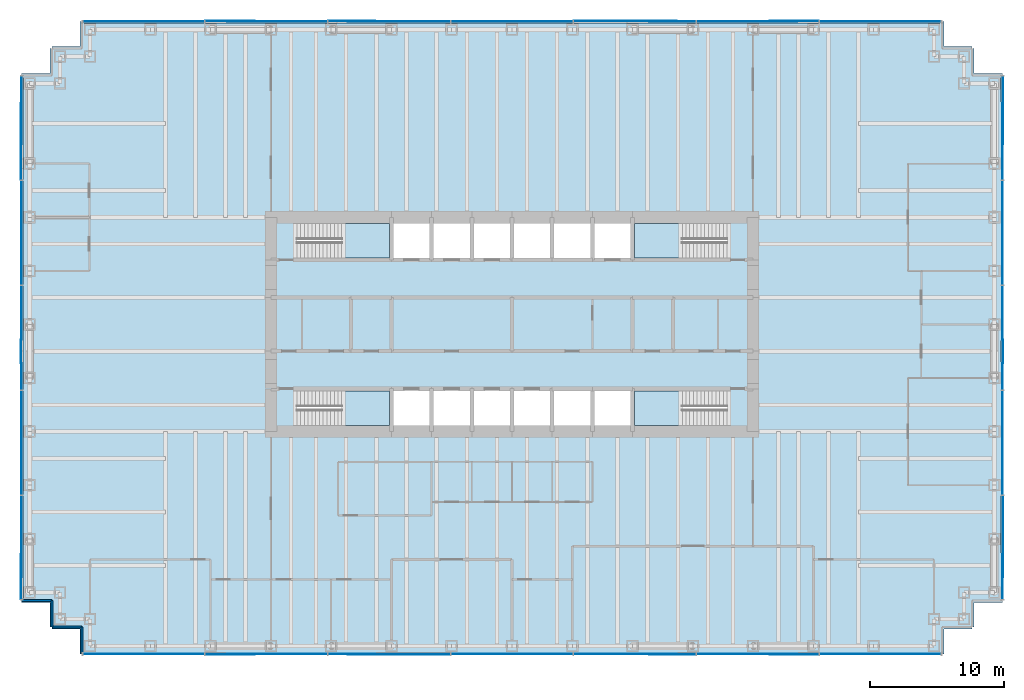
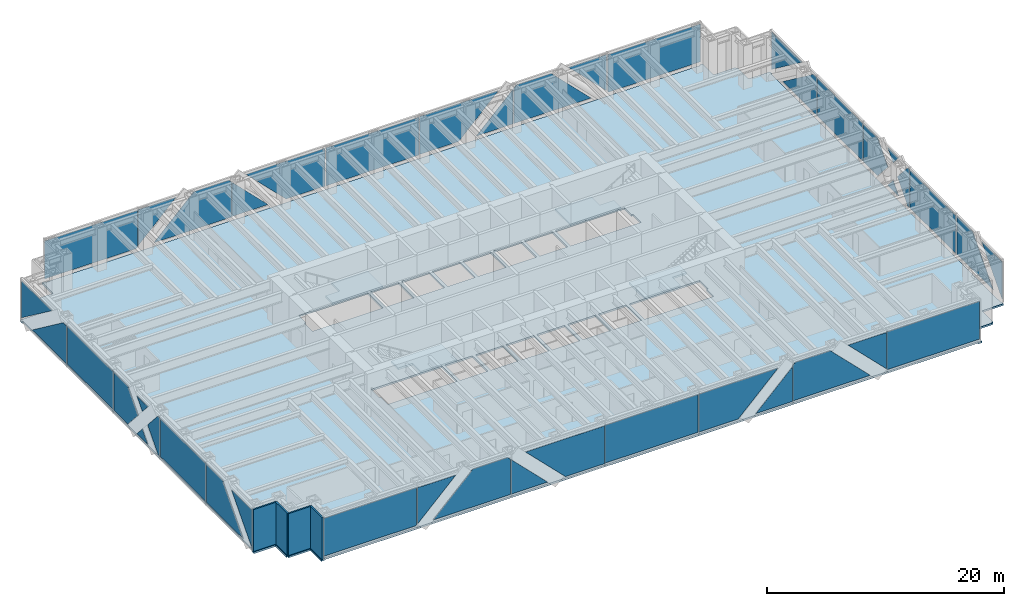
# One storey, part 8 of 13: 42 plates, 5 slabs, 4 walls, 8 elements without a shape of their own.
"""IFC4 building model written with IfcOpenShell, lengths in metres."""

from ifc_helpers import new_model, si_unit, direction, frame, frame_2d, origin, origin_2d, place, context, subcontext, project, spatial, polyline, rectangle, outline, extrude, material, layer, layer_set, type_object, element, aggregate, save


model = new_model("IFC4")

# Units and contexts
model_context = context("Model", 3, precision=1e-05, world=origin(), true_north=direction((0.0, 1.0)))
body_context = subcontext(model_context, "Body", "Model", "MODEL_VIEW")
ifc_project = project(units=[si_unit("LENGTHUNIT", "METRE"), si_unit("AREAUNIT", "SQUARE_METRE"), si_unit("VOLUMEUNIT", "CUBIC_METRE"), si_unit("PLANEANGLEUNIT", "RADIAN"), si_unit("MASSUNIT", "GRAM", prefix="KILO")], contexts=[model_context])

# Site, building, storey
site_placement = place(None, origin())
site = spatial("IfcSite", under=ifc_project, at=site_placement, CompositionType="ELEMENT")
building_placement = place(site_placement, origin())
building = spatial("IfcBuilding", under=site, at=building_placement, Name="Rheinbord Bourse Tower", CompositionType="ELEMENT")
storey_placement = place(building_placement, frame((0.0, 0.0, 41.0)))
storey = spatial("IfcBuildingStorey", under=building, at=storey_placement, Name="L08", CompositionType="ELEMENT", Elevation=41.0)

# Slab
ifc_material_1 = material(Name="Concrete C30/37", Category="concrete")
ifc_layer_1 = layer(ifc_material_1, 0.179931640625)
ifc_layer_set_1 = layer_set([ifc_layer_1], Name="COMPOSITE FLOOR SLAB 180")
slab_type_1 = type_object("IfcSlabType", Name="COMPOSITE FLOOR SLAB 180", PredefinedType="FLOOR", material=ifc_layer_set_1)
slab_1_placement = place(storey_placement, frame((0.0, 0.0, -0.179931640625)))
element("IfcSlab", 1, at=slab_1_placement, inside=storey, type_object=slab_type_1, Name="Floor slab L08", PredefinedType="FLOOR", context=body_context, shape_type="SweptSolid", body=[
    extrude(outline(polyline([(1.64990234375, 1.39990234375), (1.5, 1.39990234375), (1.5, 3.25), (-0.60009765625, 3.25), (-0.60009765625, 3.550048828125), (-0.5, 3.550048828125), (-0.5, 42.449951171875), (-0.60009765625, 42.449951171875), (-0.60009765625, 42.75), (1.5, 42.75), (1.5, 44.60009765625), (1.64990234375, 44.60009765625), (1.64990234375, 44.75), (3.75, 44.75), (3.75, 46.60009765625), (4.050048828125, 46.60009765625), (4.050048828125, 46.5), (67.949951171875, 46.5), (67.949951171875, 46.60009765625), (68.25, 46.60009765625), (68.25, 44.75), (70.35009765625, 44.75), (70.35009765625, 44.60009765625), (70.5, 44.60009765625), (70.5, 42.75), (72.60009765625, 42.75), (72.60009765625, 42.449951171875), (72.5, 42.449951171875), (72.5, 3.550048828125), (72.60009765625, 3.550048828125), (72.60009765625, 3.25), (70.5, 3.25), (70.5, 1.39990234375), (70.35009765625, 1.39990234375), (70.35009765625, 1.25), (68.25, 1.25), (68.25, -0.60009765625), (67.949951171875, -0.60009765625), (67.949951171875, -0.5), (4.050048828125, -0.5), (4.050048828125, -0.60009765625), (3.75, -0.60009765625), (3.75, 1.25), (1.64990234375, 1.25), (1.64990234375, 1.39990234375)]), holes=[polyline([(19.949951171875, 19.050048828125), (26.85009765625, 19.050048828125), (26.85009765625, 16.449951171875), (20.10009765625, 16.449951171875), (20.10009765625, 17.64990234375), (19.949951171875, 17.64990234375), (19.949951171875, 19.050048828125)]), polyline([(26.85009765625, 31.550048828125), (26.85009765625, 28.949951171875), (19.949951171875, 28.949951171875), (19.949951171875, 30.35009765625), (20.10009765625, 30.35009765625), (20.10009765625, 31.550048828125), (26.85009765625, 31.550048828125)]), polyline([(45.14990234375, 16.449951171875), (45.14990234375, 19.050048828125), (52.050048828125, 19.050048828125), (52.050048828125, 17.64990234375), (51.89990234375, 17.64990234375), (51.89990234375, 16.449951171875), (45.14990234375, 16.449951171875)]), polyline([(52.050048828125, 28.949951171875), (45.14990234375, 28.949951171875), (45.14990234375, 31.550048828125), (51.89990234375, 31.550048828125), (51.89990234375, 30.35009765625), (52.050048828125, 30.35009765625), (52.050048828125, 28.949951171875)]), polyline([(27.14990234375, 16.449951171875), (27.14990234375, 19.050048828125), (29.85009765625, 19.050048828125), (29.85009765625, 16.449951171875), (27.14990234375, 16.449951171875)]), polyline([(27.14990234375, 28.949951171875), (27.14990234375, 31.550048828125), (29.85009765625, 31.550048828125), (29.85009765625, 28.949951171875), (27.14990234375, 28.949951171875)]), polyline([(30.14990234375, 16.449951171875), (30.14990234375, 19.050048828125), (32.85009765625, 19.050048828125), (32.85009765625, 16.449951171875), (30.14990234375, 16.449951171875)]), polyline([(30.14990234375, 28.949951171875), (30.14990234375, 31.550048828125), (32.85009765625, 31.550048828125), (32.85009765625, 28.949951171875), (30.14990234375, 28.949951171875)]), polyline([(33.14990234375, 16.449951171875), (33.14990234375, 19.050048828125), (35.85009765625, 19.050048828125), (35.85009765625, 16.449951171875), (33.14990234375, 16.449951171875)]), polyline([(33.14990234375, 28.949951171875), (33.14990234375, 31.550048828125), (35.85009765625, 31.550048828125), (35.85009765625, 28.949951171875), (33.14990234375, 28.949951171875)]), polyline([(36.14990234375, 16.449951171875), (36.14990234375, 19.050048828125), (38.85009765625, 19.050048828125), (38.85009765625, 16.449951171875), (36.14990234375, 16.449951171875)]), polyline([(36.14990234375, 28.949951171875), (36.14990234375, 31.550048828125), (38.85009765625, 31.550048828125), (38.85009765625, 28.949951171875), (36.14990234375, 28.949951171875)]), polyline([(39.14990234375, 16.449951171875), (39.14990234375, 19.050048828125), (41.85009765625, 19.050048828125), (41.85009765625, 16.449951171875), (39.14990234375, 16.449951171875)]), polyline([(39.14990234375, 28.949951171875), (39.14990234375, 31.550048828125), (41.85009765625, 31.550048828125), (41.85009765625, 28.949951171875), (39.14990234375, 28.949951171875)]), polyline([(42.14990234375, 16.449951171875), (42.14990234375, 19.050048828125), (44.85009765625, 19.050048828125), (44.85009765625, 16.449951171875), (42.14990234375, 16.449951171875)]), polyline([(42.14990234375, 28.949951171875), (42.14990234375, 31.550048828125), (44.85009765625, 31.550048828125), (44.85009765625, 28.949951171875), (42.14990234375, 28.949951171875)])]), origin(), (0.0, 0.0, 1.0), 0.179931640625),
])

# Curtain wall, plates
ifc_material_2 = material(Name="Dark glass and black aluminium", Category="aluminium")
curtain_wall_type = type_object("IfcCurtainWallType", Name="CW1 DARK GLASS CURTAIN WALL", PredefinedType="USERDEFINED", material=ifc_material_2)
curtain_wall_1_placement = place(storey_placement, origin())
curtain_wall_1 = element("IfcCurtainWall", 2, at=curtain_wall_1_placement, inside=storey, type_object=curtain_wall_type, Name="Curtain wall CW1 S L08", ObjectType="UNITISED CURTAIN WALL", PredefinedType="USERDEFINED")
ifc_material_3 = material(Name="Dark tinted triple insulating glass", Category="glass")
ifc_layer_2 = layer(ifc_material_3, 0.0439453125)
ifc_layer_set_2 = layer_set([ifc_layer_2], Name="CW1 DARK GLASS PANEL")
plate_type = type_object("IfcPlateType", Name="CW1 DARK GLASS PANEL", PredefinedType="CURTAIN_PANEL", material=ifc_layer_set_2)
plate_1_placement = place(storey_placement, frame((36.0, -0.60009765625, 0.300048828125), z_axis=(0.0, 0.0, 1.0), x_axis=(1.0, 0.0, 0.0)))
plate_1 = element("IfcPlate", 3, at=plate_1_placement, type_object=plate_type, Name="CW1 panel 4.1", PredefinedType="CURTAIN_PANEL", context=body_context, shape_type="SweptSolid", body=[
    extrude(rectangle(XDim=9.09130859375, YDim=0.0439453125, at=origin_2d()), origin(), (0.0, 0.0, 1.0), 3.89990234375),
])
plate_2_placement = place(storey_placement, frame((3.97998046875, -0.6220703125, 0.300048828125), z_axis=(0.0, 1.0, 0.0), x_axis=(0.0, 0.0, 1.0)))
plate_2 = element("IfcPlate", 4, at=plate_2_placement, type_object=plate_type, Name="CW1 glass facet 1", PredefinedType="CURTAIN_PANEL", context=body_context, shape_type="SweptSolid", body=[
    extrude(outline(polyline([(0.0, 0.0), (3.89990234375, 0.0), (3.89990234375, 9.051025390625), (0.0869140625, 9.051025390625), (0.0, 8.964111328125), (0.0, 0.0)])), origin(), (0.0, 0.0, 1.0), 0.0439453125),
])
plate_3_placement = place(storey_placement, frame((13.111083984375, -0.6708984375, 4.199951171875), z_axis=(0.0, 1.0, 0.0), x_axis=(1.0, 0.0, 0.0)))
plate_3 = element("IfcPlate", 5, at=plate_3_placement, type_object=plate_type, Name="CW1 glass facet 1", PredefinedType="CURTAIN_PANEL", context=body_context, shape_type="SweptSolid", body=[
    extrude(outline(polyline([(0.0, 0.0), (3.73291015625, 0.0), (0.0, 3.73291015625), (0.0, 0.0)])), origin(), (0.0, 0.0, 1.0), 0.0439453125),
])
plate_4_placement = place(storey_placement, frame((22.202880859375, -0.6220703125, 0.300048828125), z_axis=(0.0, 1.0, 0.0), x_axis=(-1.0, 0.0, 0.0)))
plate_4 = element("IfcPlate", 6, at=plate_4_placement, type_object=plate_type, Name="CW1 glass facet 2", PredefinedType="CURTAIN_PANEL", context=body_context, shape_type="SweptSolid", body=[
    extrude(outline(polyline([(0.0, 0.0), (7.546875, 0.0), (3.64697265625, 3.89990234375), (0.2587890625, 3.89990234375), (0.0, 3.641845703125), (0.0, 0.0)])), origin(), (0.0, 0.0, 1.0), 0.0439453125),
])
plate_5_placement = place(storey_placement, frame((22.282958984375, -0.6220703125, 0.300048828125), z_axis=(0.0, 1.0, 0.0), x_axis=(0.0, 0.0, 1.0)))
plate_5 = element("IfcPlate", 7, at=plate_5_placement, type_object=plate_type, Name="CW1 glass facet 1", PredefinedType="CURTAIN_PANEL", context=body_context, shape_type="SweptSolid", body=[
    extrude(outline(polyline([(0.0, 0.0), (3.56201171875, 0.0), (0.0, 3.56103515625), (0.0, 0.0)])), origin(), (0.0, 0.0, 1.0), 0.0439453125),
])
plate_6_placement = place(storey_placement, frame((31.3740234375, -0.6708984375, 4.199951171875), z_axis=(0.0, 1.0, 0.0), x_axis=(0.0, 0.0, -1.0)))
plate_6 = element("IfcPlate", 8, at=plate_6_placement, type_object=plate_type, Name="CW1 glass facet 2", PredefinedType="CURTAIN_PANEL", context=body_context, shape_type="SweptSolid", body=[
    extrude(outline(polyline([(0.0, 0.0), (3.89990234375, 0.0), (3.89990234375, 3.818115234375), (0.0, 7.718017578125), (0.0, 0.0)])), origin(), (0.0, 0.0, 1.0), 0.0439453125),
])
plate_7_placement = place(storey_placement, frame((40.6259765625, -0.6220703125, 0.300048828125), z_axis=(0.0, 1.0, 0.0), x_axis=(0.0, 0.0, 1.0)))
plate_7 = element("IfcPlate", 9, at=plate_7_placement, type_object=plate_type, Name="CW1 glass facet 1", PredefinedType="CURTAIN_PANEL", context=body_context, shape_type="SweptSolid", body=[
    extrude(outline(polyline([(0.0, 0.0), (3.89990234375, 0.0), (3.89990234375, 7.718017578125), (0.0, 3.818115234375), (0.0, 0.0)])), origin(), (0.0, 0.0, 1.0), 0.0439453125),
])
plate_8_placement = place(storey_placement, frame((49.717041015625, -0.6708984375, 0.300048828125), z_axis=(0.0, 1.0, 0.0), x_axis=(-1.0, 0.0, 0.0)))
plate_8 = element("IfcPlate", 10, at=plate_8_placement, type_object=plate_type, Name="CW1 glass facet 2", PredefinedType="CURTAIN_PANEL", context=body_context, shape_type="SweptSolid", body=[
    extrude(outline(polyline([(0.0, 0.0), (3.56103515625, 0.0), (0.0, 3.56201171875), (0.0, 0.0)])), origin(), (0.0, 0.0, 1.0), 0.0439453125),
])
plate_9_placement = place(storey_placement, frame((49.797119140625, -0.6220703125, 0.300048828125), z_axis=(0.0, 1.0, 0.0), x_axis=(0.0, 0.0, 1.0)))
plate_9 = element("IfcPlate", 11, at=plate_9_placement, type_object=plate_type, Name="CW1 glass facet 1", PredefinedType="CURTAIN_PANEL", context=body_context, shape_type="SweptSolid", body=[
    extrude(outline(polyline([(0.0, 0.0), (3.641845703125, 0.0), (3.89990234375, 0.2587890625), (3.89990234375, 3.64697265625), (0.0, 7.546875), (0.0, 0.0)])), origin(), (0.0, 0.0, 1.0), 0.0439453125),
])
plate_10_placement = place(storey_placement, frame((58.888916015625, -0.6708984375, 4.199951171875), z_axis=(0.0, 1.0, 0.0), x_axis=(0.0, 0.0, -1.0)))
plate_10 = element("IfcPlate", 12, at=plate_10_placement, type_object=plate_type, Name="CW1 glass facet 2", PredefinedType="CURTAIN_PANEL", context=body_context, shape_type="SweptSolid", body=[
    extrude(outline(polyline([(0.0, 0.0), (3.73291015625, 0.0), (0.0, 3.73291015625), (0.0, 0.0)])), origin(), (0.0, 0.0, 1.0), 0.0439453125),
])
plate_11_placement = place(storey_placement, frame((58.968994140625, -0.6220703125, 4.199951171875), z_axis=(0.0, 1.0, 0.0), x_axis=(1.0, 0.0, 0.0)))
plate_11 = element("IfcPlate", 13, at=plate_11_placement, type_object=plate_type, Name="CW1 glass facet 1", PredefinedType="CURTAIN_PANEL", context=body_context, shape_type="SweptSolid", body=[
    extrude(outline(polyline([(0.0, 0.0), (9.051025390625, 0.0), (9.051025390625, 3.89990234375), (0.0869140625, 3.89990234375), (0.0, 3.81298828125), (0.0, 0.0)])), origin(), (0.0, 0.0, 1.0), 0.0439453125),
])
aggregate(curtain_wall_1, [plate_1, plate_2, plate_3, plate_4, plate_5, plate_6, plate_7, plate_8, plate_9, plate_10, plate_11])

curtain_wall_2_placement = place(storey_placement, origin())
curtain_wall_2 = element("IfcCurtainWall", 14, at=curtain_wall_2_placement, inside=storey, type_object=curtain_wall_type, Name="Curtain wall CW1 E L08", ObjectType="UNITISED CURTAIN WALL", PredefinedType="USERDEFINED")
plate_12_placement = place(storey_placement, frame((72.60009765625, 15.159912109375, 0.300048828125), z_axis=(0.0, 0.0, 1.0), x_axis=(0.0, 1.0, 0.0)))
plate_12 = element("IfcPlate", 15, at=plate_12_placement, type_object=plate_type, Name="CW1 panel 2.1", PredefinedType="CURTAIN_PANEL", context=body_context, shape_type="SweptSolid", body=[
    extrude(rectangle(XDim=7.760009765625, YDim=0.0439453125, at=origin_2d()), origin(), (0.0, 0.0, 1.0), 3.89990234375),
])
plate_13_placement = place(storey_placement, frame((72.60009765625, 30.840087890625, 0.300048828125), z_axis=(0.0, 0.0, 1.0), x_axis=(0.0, 1.0, 0.0)))
plate_13 = element("IfcPlate", 16, at=plate_13_placement, type_object=plate_type, Name="CW1 panel 4.1", PredefinedType="CURTAIN_PANEL", context=body_context, shape_type="SweptSolid", body=[
    extrude(rectangle(XDim=7.760009765625, YDim=0.0439453125, at=origin_2d()), origin(), (0.0, 0.0, 1.0), 3.89990234375),
])
plate_14_placement = place(storey_placement, frame((72.6220703125, 3.47998046875, 4.199951171875), z_axis=(-1.0, 0.0, 0.0), x_axis=(0.0, 1.0, 0.0)))
plate_14 = element("IfcPlate", 17, at=plate_14_placement, type_object=plate_type, Name="CW1 glass facet 1", PredefinedType="CURTAIN_PANEL", context=body_context, shape_type="SweptSolid", body=[
    extrude(outline(polyline([(0.0, 0.0), (3.444091796875, 0.0), (0.0, 3.8740234375), (0.0, 0.0)])), origin(), (0.0, 0.0, 1.0), 0.0439453125),
])
plate_15_placement = place(storey_placement, frame((72.6708984375, 11.199951171875, 4.199951171875), z_axis=(-1.0, 0.0, 0.0), x_axis=(0.0, 0.0, -1.0)))
plate_15 = element("IfcPlate", 18, at=plate_15_placement, type_object=plate_type, Name="CW1 glass facet 2", PredefinedType="CURTAIN_PANEL", context=body_context, shape_type="SweptSolid", body=[
    extrude(outline(polyline([(0.0, 0.0), (3.89990234375, 0.0), (3.89990234375, 6.1240234375), (0.0, 2.656982421875), (0.0, 0.0)])), origin(), (0.0, 0.0, 1.0), 0.0439453125),
])
plate_16_placement = place(storey_placement, frame((72.6220703125, 19.1201171875, 0.300048828125), z_axis=(-1.0, 0.0, 0.0), x_axis=(0.0, 0.0, 1.0)))
plate_16 = element("IfcPlate", 19, at=plate_16_placement, type_object=plate_type, Name="CW1 glass facet 1", PredefinedType="CURTAIN_PANEL", context=body_context, shape_type="SweptSolid", body=[
    extrude(outline(polyline([(0.0, 0.0), (3.89990234375, 0.0), (3.89990234375, 0.3369140625), (1.949951171875, 2.07080078125), (0.0, 0.3369140625), (0.0, 0.0)])), origin(), (0.0, 0.0, 1.0), 0.0439453125),
])
plate_17_placement = place(storey_placement, frame((72.6708984375, 21.075927734375, 0.300048828125), z_axis=(-1.0, 0.0, 0.0), x_axis=(0.0, 0.664549079677, 0.747244619051)))
plate_17 = element("IfcPlate", 20, at=plate_17_placement, type_object=plate_type, Name="CW1 glass facet 2", PredefinedType="CURTAIN_PANEL", context=body_context, shape_type="SweptSolid", body=[
    extrude(outline(polyline([(0.0, 0.0), (1.390625, 0.0), (1.228271484375, 1.381103515625), (0.0, 0.0)])), origin(), (0.0, 0.0, 1.0), 0.0439453125),
])
plate_18_placement = place(storey_placement, frame((72.6708984375, 22.924072265625, 4.199951171875), z_axis=(-1.0, 0.0, 0.0), x_axis=(0.0, -0.664549079677, -0.747244619051)))
plate_18 = element("IfcPlate", 21, at=plate_18_placement, type_object=plate_type, Name="CW1 glass facet 3", PredefinedType="CURTAIN_PANEL", context=body_context, shape_type="SweptSolid", body=[
    extrude(outline(polyline([(0.0, 0.0), (1.390625, 0.0), (1.228271484375, 1.381103515625), (0.0, 0.0)])), origin(), (0.0, 0.0, 1.0), 0.0439453125),
])
plate_19_placement = place(storey_placement, frame((72.6220703125, 26.8798828125, 4.199951171875), z_axis=(-1.0, 0.0, 0.0), x_axis=(0.0, 0.0, -1.0)))
plate_19 = element("IfcPlate", 22, at=plate_19_placement, type_object=plate_type, Name="CW1 glass facet 4", PredefinedType="CURTAIN_PANEL", context=body_context, shape_type="SweptSolid", body=[
    extrude(outline(polyline([(0.0, 0.0), (3.89990234375, 0.0), (3.89990234375, 2.3369140625), (1.949951171875, 4.07080078125), (0.0, 2.3369140625), (0.0, 0.0)])), origin(), (0.0, 0.0, 1.0), 0.0439453125),
])
plate_20_placement = place(storey_placement, frame((72.6220703125, 34.800048828125, 0.300048828125), z_axis=(-1.0, 0.0, 0.0), x_axis=(0.0, 0.0, 1.0)))
plate_20 = element("IfcPlate", 23, at=plate_20_placement, type_object=plate_type, Name="CW1 glass facet 1", PredefinedType="CURTAIN_PANEL", context=body_context, shape_type="SweptSolid", body=[
    extrude(outline(polyline([(0.0, 0.0), (3.89990234375, 0.0), (3.89990234375, 0.592041015625), (0.0, 5.7919921875), (0.0, 0.0)])), origin(), (0.0, 0.0, 1.0), 0.0439453125),
])
plate_21_placement = place(storey_placement, frame((72.6708984375, 42.52001953125, 4.199951171875), z_axis=(-1.0, 0.0, 0.0), x_axis=(0.0, 0.0, -1.0)))
plate_21 = element("IfcPlate", 24, at=plate_21_placement, type_object=plate_type, Name="CW1 glass facet 2", PredefinedType="CURTAIN_PANEL", context=body_context, shape_type="SweptSolid", body=[
    extrude(outline(polyline([(0.0, 0.0), (3.833984375, 0.0), (0.0, 5.112060546875), (0.0, 0.0)])), origin(), (0.0, 0.0, 1.0), 0.0439453125),
])
aggregate(curtain_wall_2, [plate_12, plate_13, plate_14, plate_15, plate_16, plate_17, plate_18, plate_19, plate_20, plate_21])

curtain_wall_3_placement = place(storey_placement, origin())
curtain_wall_3 = element("IfcCurtainWall", 25, at=curtain_wall_3_placement, inside=storey, type_object=curtain_wall_type, Name="Curtain wall CW1 N L08", ObjectType="UNITISED CURTAIN WALL", PredefinedType="USERDEFINED")
plate_22_placement = place(storey_placement, frame((36.0, 46.60009765625, 0.300048828125), z_axis=(0.0, 0.0, 1.0), x_axis=(-1.0, 0.0, 0.0)))
plate_22 = element("IfcPlate", 26, at=plate_22_placement, type_object=plate_type, Name="CW1 panel 4.1", PredefinedType="CURTAIN_PANEL", context=body_context, shape_type="SweptSolid", body=[
    extrude(rectangle(XDim=9.09130859375, YDim=0.0439453125, at=origin_2d()), origin(), (0.0, 0.0, 1.0), 3.89990234375),
])
plate_23_placement = place(storey_placement, frame((68.02001953125, 46.6220703125, 0.300048828125), z_axis=(0.0, -1.0, 0.0), x_axis=(0.0, 0.0, 1.0)))
plate_23 = element("IfcPlate", 27, at=plate_23_placement, type_object=plate_type, Name="CW1 glass facet 1", PredefinedType="CURTAIN_PANEL", context=body_context, shape_type="SweptSolid", body=[
    extrude(outline(polyline([(0.0, 0.0), (3.89990234375, 0.0), (3.89990234375, 9.051025390625), (0.0869140625, 9.051025390625), (0.0, 8.964111328125), (0.0, 0.0)])), origin(), (0.0, 0.0, 1.0), 0.0439453125),
])
plate_24_placement = place(storey_placement, frame((58.888916015625, 46.6708984375, 4.199951171875), z_axis=(0.0, -1.0, 0.0), x_axis=(-1.0, 0.0, 0.0)))
plate_24 = element("IfcPlate", 28, at=plate_24_placement, type_object=plate_type, Name="CW1 glass facet 1", PredefinedType="CURTAIN_PANEL", context=body_context, shape_type="SweptSolid", body=[
    extrude(outline(polyline([(0.0, 0.0), (3.73291015625, 0.0), (0.0, 3.73291015625), (0.0, 0.0)])), origin(), (0.0, 0.0, 1.0), 0.0439453125),
])
plate_25_placement = place(storey_placement, frame((49.797119140625, 46.6220703125, 0.300048828125), z_axis=(0.0, -1.0, 0.0), x_axis=(1.0, 0.0, 0.0)))
plate_25 = element("IfcPlate", 29, at=plate_25_placement, type_object=plate_type, Name="CW1 glass facet 2", PredefinedType="CURTAIN_PANEL", context=body_context, shape_type="SweptSolid", body=[
    extrude(outline(polyline([(0.0, 0.0), (7.546875, 0.0), (3.64697265625, 3.89990234375), (0.2587890625, 3.89990234375), (0.0, 3.641845703125), (0.0, 0.0)])), origin(), (0.0, 0.0, 1.0), 0.0439453125),
])
plate_26_placement = place(storey_placement, frame((49.717041015625, 46.6220703125, 0.300048828125), z_axis=(0.0, -1.0, 0.0), x_axis=(0.0, 0.0, 1.0)))
plate_26 = element("IfcPlate", 30, at=plate_26_placement, type_object=plate_type, Name="CW1 glass facet 1", PredefinedType="CURTAIN_PANEL", context=body_context, shape_type="SweptSolid", body=[
    extrude(outline(polyline([(0.0, 0.0), (3.56201171875, 0.0), (0.0, 3.56103515625), (0.0, 0.0)])), origin(), (0.0, 0.0, 1.0), 0.0439453125),
])
plate_27_placement = place(storey_placement, frame((40.6259765625, 46.6708984375, 4.199951171875), z_axis=(0.0, -1.0, 0.0), x_axis=(0.0, 0.0, -1.0)))
plate_27 = element("IfcPlate", 31, at=plate_27_placement, type_object=plate_type, Name="CW1 glass facet 2", PredefinedType="CURTAIN_PANEL", context=body_context, shape_type="SweptSolid", body=[
    extrude(outline(polyline([(0.0, 0.0), (3.89990234375, 0.0), (3.89990234375, 3.818115234375), (0.0, 7.718017578125), (0.0, 0.0)])), origin(), (0.0, 0.0, 1.0), 0.0439453125),
])
plate_28_placement = place(storey_placement, frame((31.3740234375, 46.6220703125, 0.300048828125), z_axis=(0.0, -1.0, 0.0), x_axis=(0.0, 0.0, 1.0)))
plate_28 = element("IfcPlate", 32, at=plate_28_placement, type_object=plate_type, Name="CW1 glass facet 1", PredefinedType="CURTAIN_PANEL", context=body_context, shape_type="SweptSolid", body=[
    extrude(outline(polyline([(0.0, 0.0), (3.89990234375, 0.0), (3.89990234375, 7.718017578125), (0.0, 3.818115234375), (0.0, 0.0)])), origin(), (0.0, 0.0, 1.0), 0.0439453125),
])
plate_29_placement = place(storey_placement, frame((22.282958984375, 46.6708984375, 0.300048828125), z_axis=(0.0, -1.0, 0.0), x_axis=(1.0, 0.0, 0.0)))
plate_29 = element("IfcPlate", 33, at=plate_29_placement, type_object=plate_type, Name="CW1 glass facet 2", PredefinedType="CURTAIN_PANEL", context=body_context, shape_type="SweptSolid", body=[
    extrude(outline(polyline([(0.0, 0.0), (3.56103515625, 0.0), (0.0, 3.56201171875), (0.0, 0.0)])), origin(), (0.0, 0.0, 1.0), 0.0439453125),
])
plate_30_placement = place(storey_placement, frame((22.202880859375, 46.6220703125, 0.300048828125), z_axis=(0.0, -1.0, 0.0), x_axis=(0.0, 0.0, 1.0)))
plate_30 = element("IfcPlate", 34, at=plate_30_placement, type_object=plate_type, Name="CW1 glass facet 1", PredefinedType="CURTAIN_PANEL", context=body_context, shape_type="SweptSolid", body=[
    extrude(outline(polyline([(0.0, 0.0), (3.641845703125, 0.0), (3.89990234375, 0.2587890625), (3.89990234375, 3.64697265625), (0.0, 7.546875), (0.0, 0.0)])), origin(), (0.0, 0.0, 1.0), 0.0439453125),
])
plate_31_placement = place(storey_placement, frame((13.111083984375, 46.6708984375, 4.199951171875), z_axis=(0.0, -1.0, 0.0), x_axis=(0.0, 0.0, -1.0)))
plate_31 = element("IfcPlate", 35, at=plate_31_placement, type_object=plate_type, Name="CW1 glass facet 2", PredefinedType="CURTAIN_PANEL", context=body_context, shape_type="SweptSolid", body=[
    extrude(outline(polyline([(0.0, 0.0), (3.73291015625, 0.0), (0.0, 3.73291015625), (0.0, 0.0)])), origin(), (0.0, 0.0, 1.0), 0.0439453125),
])
plate_32_placement = place(storey_placement, frame((13.031005859375, 46.6220703125, 4.199951171875), z_axis=(0.0, -1.0, 0.0), x_axis=(-1.0, 0.0, 0.0)))
plate_32 = element("IfcPlate", 36, at=plate_32_placement, type_object=plate_type, Name="CW1 glass facet 1", PredefinedType="CURTAIN_PANEL", context=body_context, shape_type="SweptSolid", body=[
    extrude(outline(polyline([(0.0, 0.0), (9.051025390625, 0.0), (9.051025390625, 3.89990234375), (0.0869140625, 3.89990234375), (0.0, 3.81298828125), (0.0, 0.0)])), origin(), (0.0, 0.0, 1.0), 0.0439453125),
])
aggregate(curtain_wall_3, [plate_22, plate_23, plate_24, plate_25, plate_26, plate_27, plate_28, plate_29, plate_30, plate_31, plate_32])

curtain_wall_4_placement = place(storey_placement, origin())
curtain_wall_4 = element("IfcCurtainWall", 37, at=curtain_wall_4_placement, inside=storey, type_object=curtain_wall_type, Name="Curtain wall CW1 W L08", ObjectType="UNITISED CURTAIN WALL", PredefinedType="USERDEFINED")
plate_33_placement = place(storey_placement, frame((-0.60009765625, 30.840087890625, 0.300048828125), z_axis=(0.0, 0.0, 1.0), x_axis=(0.0, -1.0, 0.0)))
plate_33 = element("IfcPlate", 38, at=plate_33_placement, type_object=plate_type, Name="CW1 panel 2.1", PredefinedType="CURTAIN_PANEL", context=body_context, shape_type="SweptSolid", body=[
    extrude(rectangle(XDim=7.760009765625, YDim=0.0439453125, at=origin_2d()), origin(), (0.0, 0.0, 1.0), 3.89990234375),
])
plate_34_placement = place(storey_placement, frame((-0.60009765625, 15.159912109375, 0.300048828125), z_axis=(0.0, 0.0, 1.0), x_axis=(0.0, -1.0, 0.0)))
plate_34 = element("IfcPlate", 39, at=plate_34_placement, type_object=plate_type, Name="CW1 panel 4.1", PredefinedType="CURTAIN_PANEL", context=body_context, shape_type="SweptSolid", body=[
    extrude(rectangle(XDim=7.760009765625, YDim=0.0439453125, at=origin_2d()), origin(), (0.0, 0.0, 1.0), 3.89990234375),
])
plate_35_placement = place(storey_placement, frame((-0.6220703125, 42.52001953125, 4.199951171875), z_axis=(1.0, 0.0, 0.0), x_axis=(0.0, -1.0, 0.0)))
plate_35 = element("IfcPlate", 40, at=plate_35_placement, type_object=plate_type, Name="CW1 glass facet 1", PredefinedType="CURTAIN_PANEL", context=body_context, shape_type="SweptSolid", body=[
    extrude(outline(polyline([(0.0, 0.0), (5.112060546875, 0.0), (0.0, 3.833984375), (0.0, 0.0)])), origin(), (0.0, 0.0, 1.0), 0.0439453125),
])
plate_36_placement = place(storey_placement, frame((-0.6708984375, 34.800048828125, 4.199951171875), z_axis=(1.0, 0.0, 0.0), x_axis=(0.0, 0.0, -1.0)))
plate_36 = element("IfcPlate", 41, at=plate_36_placement, type_object=plate_type, Name="CW1 glass facet 2", PredefinedType="CURTAIN_PANEL", context=body_context, shape_type="SweptSolid", body=[
    extrude(outline(polyline([(0.0, 0.0), (3.89990234375, 0.0), (3.89990234375, 5.7919921875), (0.0, 0.592041015625), (0.0, 0.0)])), origin(), (0.0, 0.0, 1.0), 0.0439453125),
])
plate_37_placement = place(storey_placement, frame((-0.6220703125, 26.8798828125, 0.300048828125), z_axis=(1.0, 0.0, 0.0), x_axis=(0.0, 0.0, 1.0)))
plate_37 = element("IfcPlate", 42, at=plate_37_placement, type_object=plate_type, Name="CW1 glass facet 1", PredefinedType="CURTAIN_PANEL", context=body_context, shape_type="SweptSolid", body=[
    extrude(outline(polyline([(0.0, 0.0), (3.89990234375, 0.0), (3.89990234375, 2.3369140625), (1.949951171875, 4.07080078125), (0.0, 2.3369140625), (0.0, 0.0)])), origin(), (0.0, 0.0, 1.0), 0.0439453125),
])
plate_38_placement = place(storey_placement, frame((-0.6708984375, 22.924072265625, 0.300048828125), z_axis=(1.0, 0.0, 0.0), x_axis=(0.0, -0.664549079677, 0.747244619051)))
plate_38 = element("IfcPlate", 43, at=plate_38_placement, type_object=plate_type, Name="CW1 glass facet 2", PredefinedType="CURTAIN_PANEL", context=body_context, shape_type="SweptSolid", body=[
    extrude(outline(polyline([(0.0, 0.0), (1.390625, 0.0), (1.228271484375, 1.381103515625), (0.0, 0.0)])), origin(), (0.0, 0.0, 1.0), 0.0439453125),
])
plate_39_placement = place(storey_placement, frame((-0.6708984375, 21.075927734375, 4.199951171875), z_axis=(1.0, 0.0, 0.0), x_axis=(0.0, 0.664549079677, -0.747244619051)))
plate_39 = element("IfcPlate", 44, at=plate_39_placement, type_object=plate_type, Name="CW1 glass facet 3", PredefinedType="CURTAIN_PANEL", context=body_context, shape_type="SweptSolid", body=[
    extrude(outline(polyline([(0.0, 0.0), (1.390625, 0.0), (1.228271484375, 1.381103515625), (0.0, 0.0)])), origin(), (0.0, 0.0, 1.0), 0.0439453125),
])
plate_40_placement = place(storey_placement, frame((-0.6220703125, 19.1201171875, 4.199951171875), z_axis=(1.0, 0.0, 0.0), x_axis=(0.0, 0.0, -1.0)))
plate_40 = element("IfcPlate", 45, at=plate_40_placement, type_object=plate_type, Name="CW1 glass facet 4", PredefinedType="CURTAIN_PANEL", context=body_context, shape_type="SweptSolid", body=[
    extrude(outline(polyline([(0.0, 0.0), (3.89990234375, 0.0), (3.89990234375, 0.3369140625), (1.949951171875, 2.07080078125), (0.0, 0.3369140625), (0.0, 0.0)])), origin(), (0.0, 0.0, 1.0), 0.0439453125),
])
plate_41_placement = place(storey_placement, frame((-0.6220703125, 11.199951171875, 0.300048828125), z_axis=(1.0, 0.0, 0.0), x_axis=(0.0, 0.0, 1.0)))
plate_41 = element("IfcPlate", 46, at=plate_41_placement, type_object=plate_type, Name="CW1 glass facet 1", PredefinedType="CURTAIN_PANEL", context=body_context, shape_type="SweptSolid", body=[
    extrude(outline(polyline([(0.0, 0.0), (3.89990234375, 0.0), (3.89990234375, 2.656982421875), (0.0, 6.1240234375), (0.0, 0.0)])), origin(), (0.0, 0.0, 1.0), 0.0439453125),
])
plate_42_placement = place(storey_placement, frame((-0.6708984375, 3.47998046875, 4.199951171875), z_axis=(1.0, 0.0, 0.0), x_axis=(0.0, 0.0, -1.0)))
plate_42 = element("IfcPlate", 47, at=plate_42_placement, type_object=plate_type, Name="CW1 glass facet 2", PredefinedType="CURTAIN_PANEL", context=body_context, shape_type="SweptSolid", body=[
    extrude(outline(polyline([(0.0, 0.0), (3.8740234375, 0.0), (0.0, 3.444091796875), (0.0, 0.0)])), origin(), (0.0, 0.0, 1.0), 0.0439453125),
])
aggregate(curtain_wall_4, [plate_33, plate_34, plate_35, plate_36, plate_37, plate_38, plate_39, plate_40, plate_41, plate_42])

# Stair, slab
ifc_material_4 = material(Name="Concrete C30/37", Category="concrete")
stair_type = type_object("IfcStairType", Name="CORE STAIR HALF TURN 4500", PredefinedType="HALF_TURN_STAIR", material=ifc_material_4)
stair_1_placement = place(storey_placement, origin())
stair_1 = element("IfcStair", 48, at=stair_1_placement, inside=storey, type_object=stair_type, Name="Stair ST1 L08, type CS4", PredefinedType="HALF_TURN_STAIR")
ifc_material_5 = material(Name="Concrete C30/37", Category="concrete")
ifc_layer_3 = layer(ifc_material_5, 0.199951171875)
ifc_layer_set_3 = layer_set([ifc_layer_3], Name="STAIR LANDING 200")
slab_type_2 = type_object("IfcSlabType", Name="STAIR LANDING 200", PredefinedType="LANDING", material=ifc_layer_set_3)
slab_2_placement = place(storey_placement, frame((0.0, 0.0, 2.050048828125)))
slab_2 = element("IfcSlab", 49, at=slab_2_placement, type_object=slab_type_2, Name="Half landing ST1 L08", PredefinedType="LANDING", context=body_context, shape_type="SweptSolid", body=[
    extrude(outline(polyline([(23.31005859375, 16.449951171875), (26.85009765625, 16.449951171875), (26.85009765625, 19.050048828125), (21.916015625, 19.050048828125), (21.916015625, 17.85009765625), (23.31005859375, 17.85009765625), (23.31005859375, 16.449951171875)])), origin(), (0.0, 0.0, 1.0), 0.199951171875),
])
aggregate(stair_1, [slab_2])

stair_2_placement = place(storey_placement, origin())
stair_2 = element("IfcStair", 50, at=stair_2_placement, inside=storey, type_object=stair_type, Name="Stair ST2 L08, type CS4", PredefinedType="HALF_TURN_STAIR")
slab_3_placement = place(storey_placement, frame((0.0, 0.0, 2.050048828125)))
slab_3 = element("IfcSlab", 51, at=slab_3_placement, type_object=slab_type_2, Name="Half landing ST2 L08", PredefinedType="LANDING", context=body_context, shape_type="SweptSolid", body=[
    extrude(outline(polyline([(21.916015625, 28.949951171875), (26.85009765625, 28.949951171875), (26.85009765625, 31.550048828125), (23.31005859375, 31.550048828125), (23.31005859375, 30.14990234375), (21.916015625, 30.14990234375), (21.916015625, 28.949951171875)])), origin(), (0.0, 0.0, 1.0), 0.199951171875),
])
aggregate(stair_2, [slab_3])

stair_3_placement = place(storey_placement, origin())
stair_3 = element("IfcStair", 52, at=stair_3_placement, inside=storey, type_object=stair_type, Name="Stair ST3 L08, type CS4", PredefinedType="HALF_TURN_STAIR")
slab_4_placement = place(storey_placement, frame((0.0, 0.0, 2.050048828125)))
slab_4 = element("IfcSlab", 53, at=slab_4_placement, type_object=slab_type_2, Name="Half landing ST3 L08", PredefinedType="LANDING", context=body_context, shape_type="SweptSolid", body=[
    extrude(outline(polyline([(45.14990234375, 16.449951171875), (48.68994140625, 16.449951171875), (48.68994140625, 17.85009765625), (50.083984375, 17.85009765625), (50.083984375, 19.050048828125), (45.14990234375, 19.050048828125), (45.14990234375, 16.449951171875)])), origin(), (0.0, 0.0, 1.0), 0.199951171875),
])
aggregate(stair_3, [slab_4])

stair_4_placement = place(storey_placement, origin())
stair_4 = element("IfcStair", 54, at=stair_4_placement, inside=storey, type_object=stair_type, Name="Stair ST4 L08, type CS4", PredefinedType="HALF_TURN_STAIR")
slab_5_placement = place(storey_placement, frame((0.0, 0.0, 2.050048828125)))
slab_5 = element("IfcSlab", 55, at=slab_5_placement, type_object=slab_type_2, Name="Half landing ST4 L08", PredefinedType="LANDING", context=body_context, shape_type="SweptSolid", body=[
    extrude(outline(polyline([(45.14990234375, 28.949951171875), (50.083984375, 28.949951171875), (50.083984375, 30.14990234375), (48.68994140625, 30.14990234375), (48.68994140625, 31.550048828125), (45.14990234375, 31.550048828125), (45.14990234375, 28.949951171875)])), origin(), (0.0, 0.0, 1.0), 0.199951171875),
])
aggregate(stair_4, [slab_5])

# Walls
ifc_material_6 = material(Name="Black metal rainscreen panel", Category="aluminium")
ifc_layer_4 = layer(ifc_material_6, 0.14990234375)
ifc_layer_set_4 = layer_set([ifc_layer_4], Name="CORNER PIER CLADDING 150")
wall_type = type_object("IfcWallType", Name="CORNER PIER CLADDING 150", PredefinedType="ELEMENTEDWALL", material=ifc_layer_set_4)
wall_1_placement = place(storey_placement, frame((-0.60009765625, 3.39990234375, 0.0), z_axis=(0.0, 0.0, 1.0), x_axis=(1.0, 0.0, 0.0)))
element("IfcWall", 56, at=wall_1_placement, inside=storey, type_object=wall_type, Name="Corner pier cladding L08 17", PredefinedType="ELEMENTEDWALL", context=body_context, shape_type="SweptSolid", body=[
    extrude(rectangle(XDim=2.25, YDim=0.14990234375, at=frame_2d((1.125, 0.0))), origin(), (0.0, 0.0, 1.0), 4.320068359375),
])
wall_2_placement = place(storey_placement, frame((1.64990234375, 3.39990234375, 0.0), z_axis=(0.0, 0.0, 1.0), x_axis=(0.0, -1.0, 0.0)))
element("IfcWall", 57, at=wall_2_placement, inside=storey, type_object=wall_type, Name="Corner pier cladding L08 18", PredefinedType="ELEMENTEDWALL", context=body_context, shape_type="SweptSolid", body=[
    extrude(rectangle(XDim=2.0, YDim=0.14990234375, at=frame_2d((1.0, 0.0))), origin(), (0.0, 0.0, 1.0), 4.320068359375),
])
wall_3_placement = place(storey_placement, frame((1.64990234375, 1.39990234375, 0.0), z_axis=(0.0, 0.0, 1.0), x_axis=(1.0, 0.0, 0.0)))
element("IfcWall", 58, at=wall_3_placement, inside=storey, type_object=wall_type, Name="Corner pier cladding L08 19", PredefinedType="ELEMENTEDWALL", context=body_context, shape_type="SweptSolid", body=[
    extrude(rectangle(XDim=2.25, YDim=0.14990234375, at=frame_2d((1.125, 0.0))), origin(), (0.0, 0.0, 1.0), 4.320068359375),
])
wall_4_placement = place(storey_placement, frame((3.89990234375, 1.39990234375, 0.0), z_axis=(0.0, 0.0, 1.0), x_axis=(0.0, -1.0, 0.0)))
element("IfcWall", 59, at=wall_4_placement, inside=storey, type_object=wall_type, Name="Corner pier cladding L08 20", PredefinedType="ELEMENTEDWALL", context=body_context, shape_type="SweptSolid", body=[
    extrude(rectangle(XDim=2.0, YDim=0.14990234375, at=frame_2d((1.0, 0.0))), origin(), (0.0, 0.0, 1.0), 4.320068359375),
])

save(model, "model.ifc")
